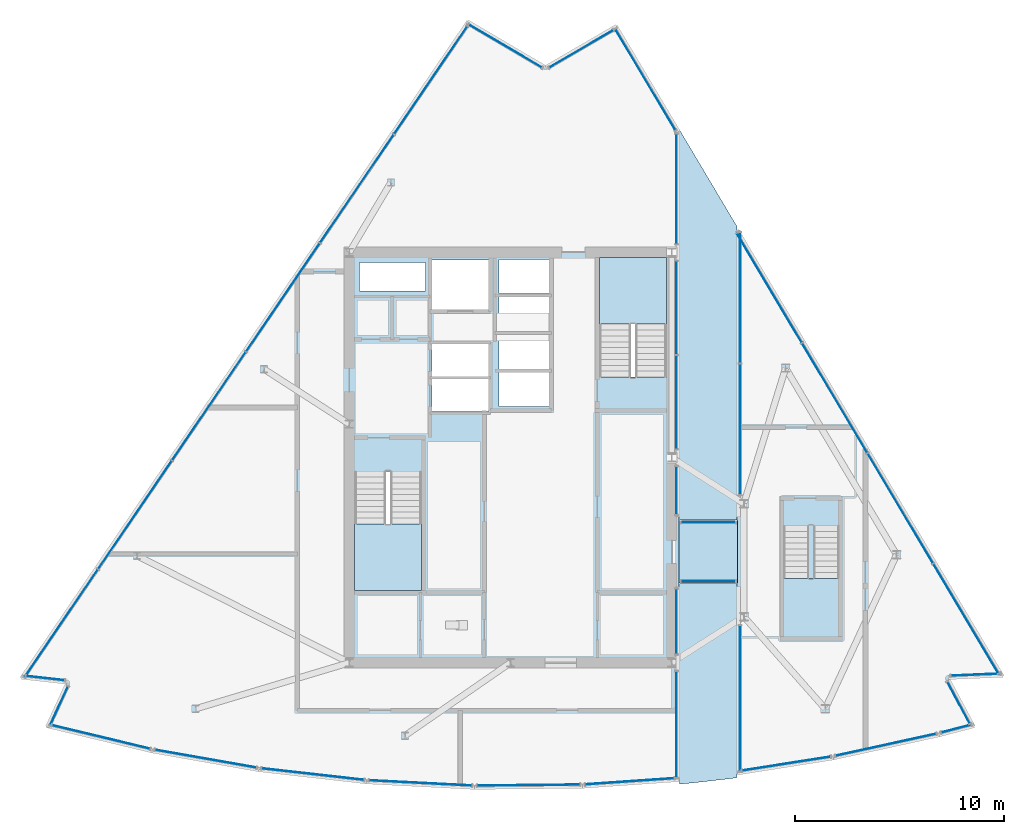
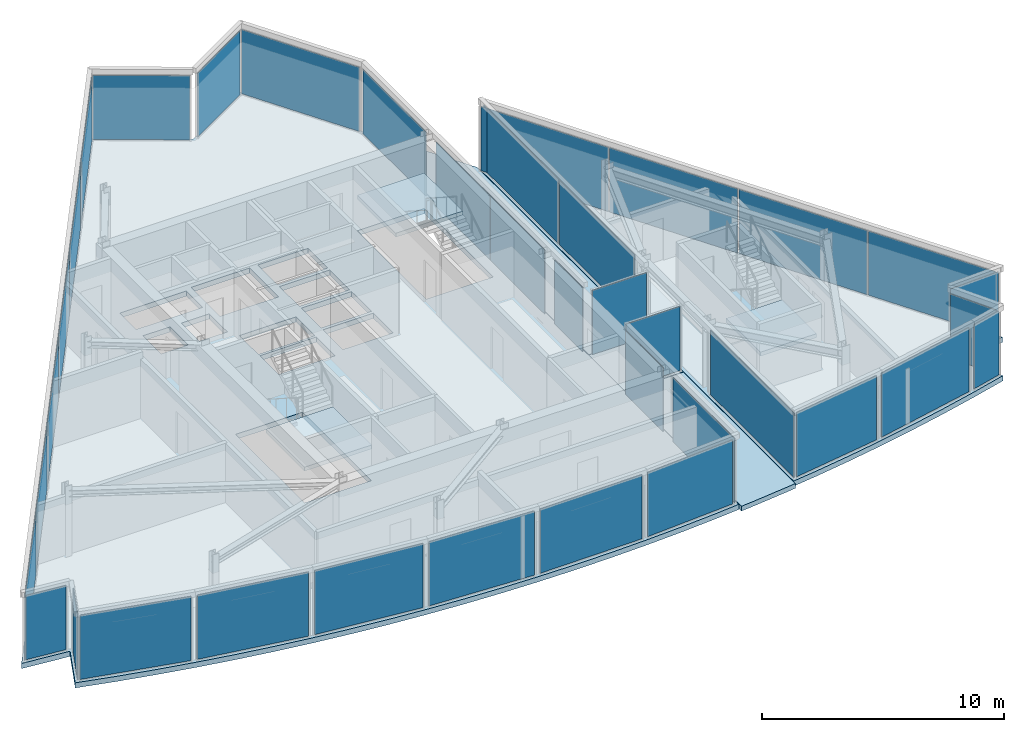
# One storey, part 8 of 15: 37 plates, 8 slabs, 30 elements without a shape of their own.
"""IFC4 building model written with IfcOpenShell, lengths in metres."""

import ifcopenshell
import ifcopenshell.guid

model = None  # the IFC model being written
_history = None  # IfcOwnerHistory: only IFC2X3 demands one
_inside = {}  # id of a spatial element -> (the spatial element, [elements in it])
_under = {}  # id of a project, library or spatial element -> (it, [spatial elements below it])
_declared = {}  # id of a project -> (the project, [libraries it declares])
_typed = {}  # id of a type object -> (the type object, [elements of that type])
_made_of = {}  # id of a material, layer set ... -> (it, [elements and type objects made of it])


def new_model(schema):
    """Start an empty IFC model of exactly this schema.

    Asked for "IFC4X3", IfcOpenShell would pick the latest addendum, in which some entities
    have other attributes; the version numbers below select the first issue.
    IFC2X3 requires an IfcOwnerHistory on every rooted entity: one is made here for all.
    """
    global model, _history
    if schema == "IFC4X3":
        model = ifcopenshell.file(schema_version=(4, 3, 0, 0))
    else:
        model = ifcopenshell.file(schema=schema)
    _inside.clear()
    _under.clear()
    _declared.clear()
    _typed.clear()
    _made_of.clear()
    _history = None
    if model.schema == "IFC2X3":
        org = make("IfcOrganization", Name="unknown")
        user = make(
            "IfcPersonAndOrganization",
            ThePerson=make("IfcPerson", FamilyName="unknown"),
            TheOrganization=org,
        )
        app = make(
            "IfcApplication",
            ApplicationDeveloper=org,
            Version="unknown",
            ApplicationFullName="unknown",
            ApplicationIdentifier="unknown",
        )
        _history = make(
            "IfcOwnerHistory",
            OwningUser=user,
            OwningApplication=app,
            ChangeAction="ADDED",
            CreationDate=0,
        )
    return model


def make(cls, **values):
    """One entity of the class cls with the attributes given. An attribute that is None is left unset."""
    return model.create_entity(
        cls, **{name: value for name, value in values.items() if value is not None}
    )


def rooted(cls, **values):
    """An entity with a GlobalId (a new one), such as an element, a storey or a relation."""
    return make(cls, GlobalId=ifcopenshell.guid.new(), OwnerHistory=_history, **values)


def si_unit(unit_type, name, prefix=None):
    """IfcSIUnit, for example si_unit("LENGTHUNIT", "METRE", prefix="MILLI")."""
    return make("IfcSIUnit", UnitType=unit_type, Prefix=prefix, Name=name)


def assignment(units):
    """IfcUnitAssignment: the units of a project."""
    return None if units is None else make("IfcUnitAssignment", Units=units)


def point(xyz):
    """IfcCartesianPoint."""
    return None if xyz is None else make("IfcCartesianPoint", Coordinates=xyz)


def direction(xyz):
    """IfcDirection."""
    return None if xyz is None else make("IfcDirection", DirectionRatios=xyz)


def frame(location, z_axis=None, x_axis=None):
    """IfcAxis2Placement3D, a coordinate frame: its origin and axes. An axis left out is left unset."""
    return make(
        "IfcAxis2Placement3D",
        Location=point(location),
        Axis=direction(z_axis),
        RefDirection=direction(x_axis),
    )


def frame_2d(location, x_axis=None):
    """IfcAxis2Placement2D, a coordinate frame in the plane: its origin and x axis."""
    return make(
        "IfcAxis2Placement2D", Location=point(location), RefDirection=direction(x_axis)
    )


def origin():
    """The frame at (0, 0, 0) with its axes left unset."""
    return frame((0.0, 0.0, 0.0))


def origin_2d():
    """The frame at (0, 0) in the plane with its x axis left unset."""
    return frame_2d((0.0, 0.0))


def place(relative_to, where):
    """IfcLocalPlacement: puts the frame where relative to a parent placement (None: the world)."""
    return make(
        "IfcLocalPlacement", PlacementRelTo=relative_to, RelativePlacement=where
    )


def context(
    kind, dimensions, precision=None, world=None, true_north=None, identifier=None
):
    """IfcGeometricRepresentationContext, for example the 3D "Model" context."""
    return make(
        "IfcGeometricRepresentationContext",
        ContextIdentifier=identifier,
        ContextType=kind,
        CoordinateSpaceDimension=dimensions,
        Precision=precision,
        WorldCoordinateSystem=world,
        TrueNorth=true_north,
    )


def subcontext(parent, identifier, kind, view, scale=None):
    """IfcGeometricRepresentationSubContext, for example "Body" below "Model"."""
    return make(
        "IfcGeometricRepresentationSubContext",
        ContextIdentifier=identifier,
        ContextType=kind,
        ParentContext=parent,
        TargetScale=scale,
        TargetView=view,
    )


def project(units=None, contexts=None):
    """IfcProject with its units and contexts."""
    return rooted(
        "IfcProject",
        Name="project",
        RepresentationContexts=contexts,
        UnitsInContext=assignment(units),
    )


def spatial(cls, under=None, at=None, **own):
    """A site, building, storey or space (cls), placed at a placement, below another one or the project."""
    s = rooted(cls, ObjectPlacement=at, **own)
    if under is not None:
        _under.setdefault(under.id(), (under, []))[1].append(s)
    return s


def polyline(points):
    """IfcPolyline through the points."""
    return make("IfcPolyline", Points=[point(p) for p in points])


def profile(cls, at=None, kind="AREA", **sizes):
    """A parametric profile (cls). Its sizes go by their IFC names, for example OverallWidth=200.0."""
    return make(cls, ProfileType=kind, Position=at, **sizes)


def rectangle(**sizes):
    """IfcRectangleProfileDef."""
    return profile("IfcRectangleProfileDef", **sizes)


def outline(outer, holes=None, kind="AREA"):
    """IfcArbitraryClosedProfileDef: a profile drawn as a closed curve; with holes, ...WithVoids."""
    if holes is None:
        return make("IfcArbitraryClosedProfileDef", ProfileType=kind, OuterCurve=outer)
    return make(
        "IfcArbitraryProfileDefWithVoids",
        ProfileType=kind,
        OuterCurve=outer,
        InnerCurves=holes,
    )


def extrude(swept, where, along, depth):
    """IfcExtrudedAreaSolid: the profile swept, set in the frame where, extruded along a direction by depth."""
    return make(
        "IfcExtrudedAreaSolid",
        SweptArea=swept,
        Position=where,
        ExtrudedDirection=direction(along),
        Depth=depth,
    )


def shape(context_of_items, identifier, shape_type, items):
    """IfcShapeRepresentation: the items that make up one representation, for example the "Body"."""
    return make(
        "IfcShapeRepresentation",
        ContextOfItems=context_of_items,
        RepresentationIdentifier=identifier,
        RepresentationType=shape_type,
        Items=items,
    )


def material(Name=None, Category=None):
    """IfcMaterial."""
    return make("IfcMaterial", Name=Name, Category=Category)


def layer(
    of_material, thickness, ventilated=None, Name=None, Category=None, Priority=None
):
    """IfcMaterialLayer: one layer of a wall or slab, of a material (None: an air gap)."""
    return make(
        "IfcMaterialLayer",
        Material=of_material,
        LayerThickness=thickness,
        IsVentilated=ventilated,
        Name=Name,
        Category=Category,
        Priority=Priority,
    )


def layer_set(layers, Name=None):
    """IfcMaterialLayerSet."""
    return make("IfcMaterialLayerSet", MaterialLayers=layers, LayerSetName=Name)


def made_of(thing, what):
    """Note that an element or type object is made of a material, layer set ...; save() writes the relation."""
    if what is not None:
        _made_of.setdefault(what.id(), (what, []))[1].append(thing)
    return thing


def type_object(cls, material=None, **own):
    """A type object (cls), such as IfcWallType, which elements share."""
    return made_of(rooted(cls, **own), material)


def element(
    cls,
    number,
    at=None,
    inside=None,
    cuts=None,
    type_object=None,
    material=None,
    context=None,
    identifier="Body",
    shape_type=None,
    held_by="IfcProductDefinitionShape",
    body=None,
    shapes=None,
    **own,
):
    """One element of the class cls, such as IfcWall. Its Tag is "e" and its number.

    at: its placement. inside: the storey or other place that contains it. cuts: it is an
    opening in that element (IfcRelVoidsElement). A single representation is given by context,
    identifier, shape_type and body (its items); several are given by shapes. held_by: the class
    of the entity that holds the representations. save() writes the other relations.
    """
    e = rooted(cls, Tag="e%d" % number, ObjectPlacement=at, **own)
    if body is not None:
        shapes = [shape(context, identifier, shape_type, body)]
    if shapes is not None:
        e.Representation = make(held_by, Representations=shapes)
    if inside is not None:
        _inside.setdefault(inside.id(), (inside, []))[1].append(e)
    if cuts is not None:
        rooted(
            "IfcRelVoidsElement", RelatingBuildingElement=cuts, RelatedOpeningElement=e
        )
    if type_object is not None:
        _typed.setdefault(type_object.id(), (type_object, []))[1].append(e)
    return made_of(e, material)


def aggregate(whole, parts):
    """IfcRelAggregates: a whole, such as a stair, and the parts it consists of."""
    return rooted("IfcRelAggregates", RelatingObject=whole, RelatedObjects=parts)


def save(model, path):
    """Write the relations noted so far, then the file.

    IfcRelAggregates (storeys below a building ...), IfcRelContainedInSpatialStructure (elements
    in a storey), IfcRelDefinesByType, IfcRelAssociatesMaterial and IfcRelDeclares: one each for
    every whole, place, type object, material and project.
    """
    for whole, parts in _under.values():
        aggregate(whole, parts)
    for where, things in _inside.values():
        rooted(
            "IfcRelContainedInSpatialStructure",
            RelatedElements=things,
            RelatingStructure=where,
        )
    for kind, things in _typed.values():
        rooted("IfcRelDefinesByType", RelatedObjects=things, RelatingType=kind)
    for what, things in _made_of.values():
        rooted("IfcRelAssociatesMaterial", RelatedObjects=things, RelatingMaterial=what)
    for by, libraries in _declared.values():
        rooted("IfcRelDeclares", RelatingContext=by, RelatedDefinitions=libraries)
    model.write(path)


model = new_model("IFC4")

# Units and contexts
model_context = context("Model", 3, precision=1e-05, world=origin(), true_north=direction((0.0, 1.0)))
body_context = subcontext(model_context, "Body", "Model", "MODEL_VIEW")
ifc_project = project(units=[si_unit("LENGTHUNIT", "METRE"), si_unit("AREAUNIT", "SQUARE_METRE"), si_unit("VOLUMEUNIT", "CUBIC_METRE"), si_unit("PLANEANGLEUNIT", "RADIAN"), si_unit("MASSUNIT", "GRAM", prefix="KILO")], contexts=[model_context])

# Site, building, storey
site_placement = place(None, origin())
site = spatial("IfcSite", under=ifc_project, at=site_placement, CompositionType="ELEMENT")
building_placement = place(site_placement, origin())
building = spatial("IfcBuilding", under=site, at=building_placement, Name="Savorim Split Tower", CompositionType="ELEMENT")
storey_placement = place(building_placement, frame((0.0, 0.0, 297.60009765625)))
storey = spatial("IfcBuildingStorey", under=building, at=storey_placement, Name="Crown L79 Plant", CompositionType="ELEMENT", Elevation=297.60009765625)

# Curtain wall, plate
ifc_material_1 = material(Name="Dark Ceramic-Fritted Insulated Glass", Category="glass")
curtain_wall_type = type_object("IfcCurtainWallType", Name="CW-CROWN-CREST", PredefinedType="NOTDEFINED", material=ifc_material_1)
curtain_wall_1_placement = place(storey_placement, origin())
curtain_wall_1 = element("IfcCurtainWall", 1, at=curtain_wall_1_placement, inside=storey, type_object=curtain_wall_type, Name="Crown L79 Plant Curtain Wall CW-Crown-L79-Plant-W1AS1", PredefinedType="NOTDEFINED")
ifc_layer_1 = layer(ifc_material_1, 0.02587890625)
ifc_layer_set_1 = layer_set([ifc_layer_1], Name="CWP-FRITB-26")
plate_type = type_object("IfcPlateType", Name="CWP-FRITB-26", PredefinedType="CURTAIN_PANEL", material=ifc_layer_set_1)
plate_1_placement = place(storey_placement, frame((7.929931640625, -12.354248046875, 0.0498046875), z_axis=(0.0, 0.0, 1.0), x_axis=(0.0, 1.0, 0.0)))
plate_1 = element("IfcPlate", 2, at=plate_1_placement, type_object=plate_type, Name="CW-07 panel 1.1", PredefinedType="CURTAIN_PANEL", context=body_context, shape_type="SweptSolid", body=[
    extrude(rectangle(XDim=5.056640625, YDim=0.02587890625, at=origin_2d()), origin(), (0.0, 0.0, 1.0), 3.239990234375),
])
aggregate(curtain_wall_1, [plate_1])

curtain_wall_2_placement = place(storey_placement, origin())
curtain_wall_2 = element("IfcCurtainWall", 3, at=curtain_wall_2_placement, inside=storey, type_object=curtain_wall_type, Name="Crown L79 Plant Curtain Wall CW-Crown-L79-Plant-W1AS2", PredefinedType="NOTDEFINED")
plate_2_placement = place(storey_placement, frame((7.929931640625, -7.431884765625, 0.0498046875), z_axis=(0.0, 0.0, 1.0), x_axis=(0.0, 1.0, 0.0)))
plate_2 = element("IfcPlate", 4, at=plate_2_placement, type_object=plate_type, Name="CW-07 panel 1.1", PredefinedType="CURTAIN_PANEL", context=body_context, shape_type="SweptSolid", body=[
    extrude(rectangle(XDim=3.083984375, YDim=0.02587890625, at=origin_2d()), origin(), (0.0, 0.0, 1.0), 3.239990234375),
])
aggregate(curtain_wall_2, [plate_2])

curtain_wall_3_placement = place(storey_placement, origin())
curtain_wall_3 = element("IfcCurtainWall", 5, at=curtain_wall_3_placement, inside=storey, type_object=curtain_wall_type, Name="Crown L79 Plant Curtain Wall CW-Crown-L79-Plant-W1BS1", PredefinedType="NOTDEFINED")
plate_3_placement = place(storey_placement, frame((7.929931640625, -1.16796875, 0.0498046875), z_axis=(0.0, 0.0, 1.0), x_axis=(0.0, 1.0, 0.0)))
plate_3 = element("IfcPlate", 6, at=plate_3_placement, type_object=plate_type, Name="CW-07 panel 1.1", PredefinedType="CURTAIN_PANEL", context=body_context, shape_type="SweptSolid", body=[
    extrude(rectangle(XDim=2.283935546875, YDim=0.02587890625, at=origin_2d()), origin(), (0.0, 0.0, 1.0), 3.239990234375),
])
aggregate(curtain_wall_3, [plate_3])

# Curtain wall, plates
curtain_wall_4_placement = place(storey_placement, origin())
curtain_wall_4 = element("IfcCurtainWall", 7, at=curtain_wall_4_placement, inside=storey, type_object=curtain_wall_type, Name="Crown L79 Plant Curtain Wall CW-Crown-L79-Plant-W1BS2", PredefinedType="NOTDEFINED")
plate_4_placement = place(storey_placement, frame((7.929931640625, 3.048095703125, 0.0498046875), z_axis=(0.0, 0.0, 1.0), x_axis=(0.0, 1.0, 0.0)))
plate_4 = element("IfcPlate", 8, at=plate_4_placement, type_object=plate_type, Name="CW-07 panel 1.1", PredefinedType="CURTAIN_PANEL", context=body_context, shape_type="SweptSolid", body=[
    extrude(rectangle(XDim=4.444091796875, YDim=0.02587890625, at=origin_2d()), origin(), (0.0, 0.0, 1.0), 3.239990234375),
])
plate_5_placement = place(storey_placement, frame((7.929931640625, 7.552001953125, 0.0498046875), z_axis=(0.0, 0.0, 1.0), x_axis=(0.0, 1.0, 0.0)))
plate_5 = element("IfcPlate", 9, at=plate_5_placement, type_object=plate_type, Name="CW-07 panel 2.1", PredefinedType="CURTAIN_PANEL", context=body_context, shape_type="SweptSolid", body=[
    extrude(rectangle(XDim=4.444091796875, YDim=0.02587890625, at=origin_2d()), origin(), (0.0, 0.0, 1.0), 3.239990234375),
])
aggregate(curtain_wall_4, [plate_4, plate_5])

# Curtain wall, plate
curtain_wall_5_placement = place(storey_placement, origin())
curtain_wall_5 = element("IfcCurtainWall", 10, at=curtain_wall_5_placement, inside=storey, type_object=curtain_wall_type, Name="Crown L79 Plant Curtain Wall CW-Crown-L79-Plant-W1BS3", PredefinedType="NOTDEFINED")
plate_6_placement = place(storey_placement, frame((7.929931640625, 13.238037109375, 0.0498046875), z_axis=(0.0, 0.0, 1.0), x_axis=(0.0, 1.0, 0.0)))
plate_6 = element("IfcPlate", 11, at=plate_6_placement, type_object=plate_type, Name="CW-07 panel 1.1", PredefinedType="CURTAIN_PANEL", context=body_context, shape_type="SweptSolid", body=[
    extrude(rectangle(XDim=5.224365234375, YDim=0.02587890625, at=origin_2d()), origin(), (0.0, 0.0, 1.0), 3.239990234375),
])
aggregate(curtain_wall_5, [plate_6])

curtain_wall_6_placement = place(storey_placement, origin())
curtain_wall_6 = element("IfcCurtainWall", 12, at=curtain_wall_6_placement, inside=storey, type_object=curtain_wall_type, Name="Crown L79 Plant Curtain Wall CW-Crown-L79-Plant-W2A", PredefinedType="NOTDEFINED")
plate_7_placement = place(storey_placement, frame((6.446533203125, 18.451904296875, 0.0498046875), z_axis=(0.0, 0.0, 1.0), x_axis=(-0.511100218355, 0.85952112644, 0.0)))
plate_7 = element("IfcPlate", 13, at=plate_7_placement, type_object=plate_type, Name="CW-07 panel 1.1", PredefinedType="CURTAIN_PANEL", context=body_context, shape_type="SweptSolid", body=[
    extrude(rectangle(XDim=5.590576171875, YDim=0.02587890625, at=origin_2d()), origin(), (0.0, 0.0, 1.0), 3.239990234375),
])
aggregate(curtain_wall_6, [plate_7])

curtain_wall_7_placement = place(storey_placement, origin())
curtain_wall_7 = element("IfcCurtainWall", 14, at=curtain_wall_7_placement, inside=storey, type_object=curtain_wall_type, Name="Crown L79 Plant Curtain Wall CW-Crown-L79-Plant-W3A", PredefinedType="NOTDEFINED")
plate_8_placement = place(storey_placement, frame((3.37841796875, 19.92333984375, 0.0498046875), z_axis=(0.0, 0.0, 1.0), x_axis=(-0.863985165076, -0.503517263387, 0.0)))
plate_8 = element("IfcPlate", 15, at=plate_8_placement, type_object=plate_type, Name="CW-07 panel 1.1", PredefinedType="CURTAIN_PANEL", context=body_context, shape_type="SweptSolid", body=[
    extrude(rectangle(XDim=3.5185546875, YDim=0.02587890625, at=origin_2d()), origin(), (0.0, 0.0, 1.0), 3.239990234375),
])
aggregate(curtain_wall_7, [plate_8])

curtain_wall_8_placement = place(storey_placement, origin())
curtain_wall_8 = element("IfcCurtainWall", 16, at=curtain_wall_8_placement, inside=storey, type_object=curtain_wall_type, Name="Crown L79 Plant Curtain Wall CW-Crown-L79-Plant-W4A", PredefinedType="NOTDEFINED")
plate_9_placement = place(storey_placement, frame((-0.239501953125, 20.057861328125, 0.0498046875), z_axis=(0.0, 0.0, 1.0), x_axis=(-0.862125788035, 0.506694311795, 0.0)))
plate_9 = element("IfcPlate", 17, at=plate_9_placement, type_object=plate_type, Name="CW-07 panel 1.1", PredefinedType="CURTAIN_PANEL", context=body_context, shape_type="SweptSolid", body=[
    extrude(rectangle(XDim=4.025146484375, YDim=0.02587890625, at=origin_2d()), origin(), (0.0, 0.0, 1.0), 3.239990234375),
])
aggregate(curtain_wall_8, [plate_9])

# Curtain wall, plates
curtain_wall_9_placement = place(storey_placement, origin())
curtain_wall_9 = element("IfcCurtainWall", 18, at=curtain_wall_9_placement, inside=storey, type_object=curtain_wall_type, Name="Crown L79 Plant Curtain Wall CW-Crown-L79-Plant-W5A", PredefinedType="NOTDEFINED")
plate_10_placement = place(storey_placement, frame((-3.814453125, 18.422607421875, 0.0498046875), z_axis=(0.0, 0.0, 1.0), x_axis=(-0.56246562314, -0.82682067148, 0.0)))
plate_10 = element("IfcPlate", 19, at=plate_10_placement, type_object=plate_type, Name="CW-07 panel 1.1", PredefinedType="CURTAIN_PANEL", context=body_context, shape_type="SweptSolid", body=[
    extrude(rectangle(XDim=6.19091796875, YDim=0.02587890625, at=origin_2d()), origin(), (0.0, 0.0, 1.0), 3.239990234375),
])
plate_11_placement = place(storey_placement, frame((-7.338623046875, 13.24169921875, 0.0498046875), z_axis=(0.0, 0.0, 1.0), x_axis=(-0.56246562314, -0.82682067148, 0.0)))
plate_11 = element("IfcPlate", 20, at=plate_11_placement, type_object=plate_type, Name="CW-07 panel 2.1", PredefinedType="CURTAIN_PANEL", context=body_context, shape_type="SweptSolid", body=[
    extrude(rectangle(XDim=6.220947265625, YDim=0.02587890625, at=origin_2d()), origin(), (0.0, 0.0, 1.0), 3.239990234375),
])
plate_12_placement = place(storey_placement, frame((-10.87158203125, 8.048583984375, 0.0498046875), z_axis=(0.0, 0.0, 1.0), x_axis=(-0.56246562314, -0.82682067148, 0.0)))
plate_12 = element("IfcPlate", 21, at=plate_12_placement, type_object=plate_type, Name="CW-07 panel 3.1", PredefinedType="CURTAIN_PANEL", context=body_context, shape_type="SweptSolid", body=[
    extrude(rectangle(XDim=6.220947265625, YDim=0.02587890625, at=origin_2d()), origin(), (0.0, 0.0, 1.0), 3.239990234375),
])
plate_13_placement = place(storey_placement, frame((-14.404296875, 2.855224609375, 0.0498046875), z_axis=(0.0, 0.0, 1.0), x_axis=(-0.56246562314, -0.82682067148, 0.0)))
plate_13 = element("IfcPlate", 22, at=plate_13_placement, type_object=plate_type, Name="CW-07 panel 4.1", PredefinedType="CURTAIN_PANEL", context=body_context, shape_type="SweptSolid", body=[
    extrude(rectangle(XDim=6.220947265625, YDim=0.02587890625, at=origin_2d()), origin(), (0.0, 0.0, 1.0), 3.239990234375),
])
plate_14_placement = place(storey_placement, frame((-17.937255859375, -2.337890625, 0.0498046875), z_axis=(0.0, 0.0, 1.0), x_axis=(-0.56246562314, -0.82682067148, 0.0)))
plate_14 = element("IfcPlate", 23, at=plate_14_placement, type_object=plate_type, Name="CW-07 panel 5.1", PredefinedType="CURTAIN_PANEL", context=body_context, shape_type="SweptSolid", body=[
    extrude(rectangle(XDim=6.220947265625, YDim=0.02587890625, at=origin_2d()), origin(), (0.0, 0.0, 1.0), 3.239990234375),
])
plate_15_placement = place(storey_placement, frame((-21.461669921875, -7.518798828125, 0.0498046875), z_axis=(0.0, 0.0, 1.0), x_axis=(-0.56246562314, -0.82682067148, 0.0)))
plate_15 = element("IfcPlate", 24, at=plate_15_placement, type_object=plate_type, Name="CW-07 panel 6.1", PredefinedType="CURTAIN_PANEL", context=body_context, shape_type="SweptSolid", body=[
    extrude(rectangle(XDim=6.19091796875, YDim=0.02587890625, at=origin_2d()), origin(), (0.0, 0.0, 1.0), 3.239990234375),
])
aggregate(curtain_wall_9, [plate_10, plate_11, plate_12, plate_13, plate_14, plate_15])

# Curtain wall, plate
curtain_wall_10_placement = place(storey_placement, origin())
curtain_wall_10 = element("IfcCurtainWall", 25, at=curtain_wall_10_placement, inside=storey, type_object=curtain_wall_type, Name="Crown L79 Plant Curtain Wall CW-Crown-L79-Plant-W6A", PredefinedType="NOTDEFINED")
plate_16_placement = place(storey_placement, frame((-22.223388671875, -10.134765625, 0.0498046875), z_axis=(0.0, 0.0, 1.0), x_axis=(0.993822348532, -0.110982609263, 0.0)))
plate_16 = element("IfcPlate", 26, at=plate_16_placement, type_object=plate_type, Name="CW-07 panel 1.1", PredefinedType="CURTAIN_PANEL", context=body_context, shape_type="SweptSolid", body=[
    extrude(rectangle(XDim=1.811767578125, YDim=0.02587890625, at=origin_2d()), origin(), (0.0, 0.0, 1.0), 3.239990234375),
])
aggregate(curtain_wall_10, [plate_16])

curtain_wall_11_placement = place(storey_placement, origin())
curtain_wall_11 = element("IfcCurtainWall", 27, at=curtain_wall_11_placement, inside=storey, type_object=curtain_wall_type, Name="Crown L79 Plant Curtain Wall CW-Crown-L79-Plant-W7A", PredefinedType="NOTDEFINED")
plate_17_placement = place(storey_placement, frame((-21.565673828125, -11.459228515625, 0.0498046875), z_axis=(0.0, 0.0, 1.0), x_axis=(-0.417498072917, -0.908677808197, 0.0)))
plate_17 = element("IfcPlate", 28, at=plate_17_placement, type_object=plate_type, Name="CW-07 panel 1.1", PredefinedType="CURTAIN_PANEL", context=body_context, shape_type="SweptSolid", body=[
    extrude(rectangle(XDim=2.0068359375, YDim=0.02587890625, at=origin_2d()), origin(), (0.0, 0.0, 1.0), 3.239990234375),
])
aggregate(curtain_wall_11, [plate_17])

curtain_wall_12_placement = place(storey_placement, origin())
curtain_wall_12 = element("IfcCurtainWall", 29, at=curtain_wall_12_placement, inside=storey, type_object=curtain_wall_type, Name="Crown L79 Plant Curtain Wall CW-Crown-L79-Plant-W8A", PredefinedType="NOTDEFINED")
plate_18_placement = place(storey_placement, frame((-19.558349609375, -12.946533203125, 0.0498046875), z_axis=(0.0, 0.0, 1.0), x_axis=(0.972438519655, -0.233159442207, 0.0)))
plate_18 = element("IfcPlate", 30, at=plate_18_placement, type_object=plate_type, Name="CW-07 panel 1.1", PredefinedType="CURTAIN_PANEL", context=body_context, shape_type="SweptSolid", body=[
    extrude(rectangle(XDim=4.786865234375, YDim=0.02587890625, at=origin_2d()), origin(), (0.0, 0.0, 1.0), 3.239990234375),
])
aggregate(curtain_wall_12, [plate_18])

curtain_wall_13_placement = place(storey_placement, origin())
curtain_wall_13 = element("IfcCurtainWall", 31, at=curtain_wall_13_placement, inside=storey, type_object=curtain_wall_type, Name="Crown L79 Plant Curtain Wall CW-Crown-L79-Plant-W9A", PredefinedType="NOTDEFINED")
plate_19_placement = place(storey_placement, frame((-14.5546875, -13.9833984375, 0.0498046875), z_axis=(0.0, 0.0, 1.0), x_axis=(0.984910639086, -0.173063667518, 0.0)))
plate_19 = element("IfcPlate", 32, at=plate_19_placement, type_object=plate_type, Name="CW-07 panel 1.1", PredefinedType="CURTAIN_PANEL", context=body_context, shape_type="SweptSolid", body=[
    extrude(rectangle(XDim=4.89208984375, YDim=0.02587890625, at=origin_2d()), origin(), (0.0, 0.0, 1.0), 3.239990234375),
])
aggregate(curtain_wall_13, [plate_19])

curtain_wall_14_placement = place(storey_placement, origin())
curtain_wall_14 = element("IfcCurtainWall", 33, at=curtain_wall_14_placement, inside=storey, type_object=curtain_wall_type, Name="Crown L79 Plant Curtain Wall CW-Crown-L79-Plant-W10A", PredefinedType="NOTDEFINED")
plate_20_placement = place(storey_placement, frame((-9.445556640625, -14.72021484375, 0.0498046875), z_axis=(0.0, 0.0, 1.0), x_axis=(0.993670713242, -0.112332157661, 0.0)))
plate_20 = element("IfcPlate", 34, at=plate_20_placement, type_object=plate_type, Name="CW-07 panel 1.1", PredefinedType="CURTAIN_PANEL", context=body_context, shape_type="SweptSolid", body=[
    extrude(rectangle(XDim=4.891845703125, YDim=0.02587890625, at=origin_2d()), origin(), (0.0, 0.0, 1.0), 3.239990234375),
])
aggregate(curtain_wall_14, [plate_20])

curtain_wall_15_placement = place(storey_placement, origin())
curtain_wall_15 = element("IfcCurtainWall", 35, at=curtain_wall_15_placement, inside=storey, type_object=curtain_wall_type, Name="Crown L79 Plant Curtain Wall CW-Crown-L79-Plant-W11A", PredefinedType="NOTDEFINED")
plate_21_placement = place(storey_placement, frame((-4.300537109375, -15.142333984375, 0.0498046875), z_axis=(0.0, 0.0, 1.0), x_axis=(0.99869064475, -0.051156584025, 0.0)))
plate_21 = element("IfcPlate", 36, at=plate_21_placement, type_object=plate_type, Name="CW-07 panel 1.1", PredefinedType="CURTAIN_PANEL", context=body_context, shape_type="SweptSolid", body=[
    extrude(rectangle(XDim=4.89208984375, YDim=0.02587890625, at=origin_2d()), origin(), (0.0, 0.0, 1.0), 3.239990234375),
])
aggregate(curtain_wall_15, [plate_21])

curtain_wall_16_placement = place(storey_placement, origin())
curtain_wall_16 = element("IfcCurtainWall", 37, at=curtain_wall_16_placement, inside=storey, type_object=curtain_wall_type, Name="Crown L79 Plant Curtain Wall CW-Crown-L79-Plant-W12A", PredefinedType="NOTDEFINED")
plate_22_placement = place(storey_placement, frame((0.860595703125, -15.247802734375, 0.0498046875), z_axis=(0.0, 0.0, 1.0), x_axis=(0.999947411371, 0.010255461615, 0.0)))
plate_22 = element("IfcPlate", 38, at=plate_22_placement, type_object=plate_type, Name="CW-07 panel 1.1", PredefinedType="CURTAIN_PANEL", context=body_context, shape_type="SweptSolid", body=[
    extrude(rectangle(XDim=4.891845703125, YDim=0.02587890625, at=origin_2d()), origin(), (0.0, 0.0, 1.0), 3.239990234375),
])
aggregate(curtain_wall_16, [plate_22])

curtain_wall_17_placement = place(storey_placement, origin())
curtain_wall_17 = element("IfcCurtainWall", 39, at=curtain_wall_17_placement, inside=storey, type_object=curtain_wall_type, Name="Crown L79 Plant Curtain Wall CW-Crown-L79-Plant-W13A", PredefinedType="NOTDEFINED")
plate_23_placement = place(storey_placement, frame((5.688232421875, -15.06591796875, 0.0498046875), z_axis=(0.0, 0.0, 1.0), x_axis=(0.997611021231, 0.069081475947, 0.0)))
plate_23 = element("IfcPlate", 40, at=plate_23_placement, type_object=plate_type, Name="CW-07 panel 1.1", PredefinedType="CURTAIN_PANEL", context=body_context, shape_type="SweptSolid", body=[
    extrude(rectangle(XDim=4.228515625, YDim=0.02587890625, at=origin_2d()), origin(), (0.0, 0.0, 1.0), 3.239990234375),
])
aggregate(curtain_wall_17, [plate_23])

# Curtain wall, plates
curtain_wall_18_placement = place(storey_placement, origin())
curtain_wall_18 = element("IfcCurtainWall", 41, at=curtain_wall_18_placement, inside=storey, type_object=curtain_wall_type, Name="Crown L79 Plant Curtain Wall CW-Crown-L79-Plant-E1A", PredefinedType="NOTDEFINED")
plate_24_placement = place(storey_placement, frame((10.969970703125, 8.031005859375, 0.0498046875), z_axis=(0.0, 0.0, 1.0), x_axis=(0.0, -1.0, 0.0)))
plate_24 = element("IfcPlate", 42, at=plate_24_placement, type_object=plate_type, Name="CW-07 panel 1.1", PredefinedType="CURTAIN_PANEL", context=body_context, shape_type="SweptSolid", body=[
    extrude(rectangle(XDim=6.220703125, YDim=0.02587890625, at=origin_2d()), origin(), (0.0, 0.0, 1.0), 3.239990234375),
])
plate_25_placement = place(storey_placement, frame((10.969970703125, 1.750244140625, 0.0498046875), z_axis=(0.0, 0.0, 1.0), x_axis=(0.0, -1.0, 0.0)))
plate_25 = element("IfcPlate", 43, at=plate_25_placement, type_object=plate_type, Name="CW-07 panel 2.1", PredefinedType="CURTAIN_PANEL", context=body_context, shape_type="SweptSolid", body=[
    extrude(rectangle(XDim=6.220703125, YDim=0.02587890625, at=origin_2d()), origin(), (0.0, 0.0, 1.0), 3.239990234375),
])
aggregate(curtain_wall_18, [plate_24, plate_25])

# Curtain wall, plate
curtain_wall_19_placement = place(storey_placement, origin())
curtain_wall_19 = element("IfcCurtainWall", 44, at=curtain_wall_19_placement, inside=storey, type_object=curtain_wall_type, Name="Crown L79 Plant Curtain Wall CW-Crown-L79-Plant-E1B", PredefinedType="NOTDEFINED")
plate_26_placement = place(storey_placement, frame((10.969970703125, -11.103271484375, 0.0498046875), z_axis=(0.0, 0.0, 1.0), x_axis=(0.0, -1.0, 0.0)))
plate_26 = element("IfcPlate", 45, at=plate_26_placement, type_object=plate_type, Name="CW-07 panel 1.1", PredefinedType="CURTAIN_PANEL", context=body_context, shape_type="SweptSolid", body=[
    extrude(rectangle(XDim=6.9267578125, YDim=0.02587890625, at=origin_2d()), origin(), (0.0, 0.0, 1.0), 3.239990234375),
])
aggregate(curtain_wall_19, [plate_26])

curtain_wall_20_placement = place(storey_placement, origin())
curtain_wall_20 = element("IfcCurtainWall", 46, at=curtain_wall_20_placement, inside=storey, type_object=curtain_wall_type, Name="Crown L79 Plant Curtain Wall CW-Crown-L79-Plant-E2A", PredefinedType="NOTDEFINED")
plate_27_placement = place(storey_placement, frame((13.173583984375, -14.22021484375, 0.0498046875), z_axis=(0.0, 0.0, 1.0), x_axis=(0.987884139811, 0.155193190285, 0.0)))
plate_27 = element("IfcPlate", 47, at=plate_27_placement, type_object=plate_type, Name="CW-07 panel 1.1", PredefinedType="CURTAIN_PANEL", context=body_context, shape_type="SweptSolid", body=[
    extrude(rectangle(XDim=4.251953125, YDim=0.02587890625, at=origin_2d()), origin(), (0.0, 0.0, 1.0), 3.239990234375),
])
aggregate(curtain_wall_20, [plate_27])

curtain_wall_21_placement = place(storey_placement, origin())
curtain_wall_21 = element("IfcCurtainWall", 48, at=curtain_wall_21_placement, inside=storey, type_object=curtain_wall_type, Name="Crown L79 Plant Curtain Wall CW-Crown-L79-Plant-E3A", PredefinedType="NOTDEFINED")
plate_28_placement = place(storey_placement, frame((17.931884765625, -13.318359375, 0.0498046875), z_axis=(0.0, 0.0, 1.0), x_axis=(0.977007147717, 0.213206550812, 0.0)))
plate_28 = element("IfcPlate", 49, at=plate_28_placement, type_object=plate_type, Name="CW-07 panel 1.1", PredefinedType="CURTAIN_PANEL", context=body_context, shape_type="SweptSolid", body=[
    extrude(rectangle(XDim=4.89208984375, YDim=0.02587890625, at=origin_2d()), origin(), (0.0, 0.0, 1.0), 3.239990234375),
])
aggregate(curtain_wall_21, [plate_28])

curtain_wall_22_placement = place(storey_placement, origin())
curtain_wall_22 = element("IfcCurtainWall", 50, at=curtain_wall_22_placement, inside=storey, type_object=curtain_wall_type, Name="Crown L79 Plant Curtain Wall CW-Crown-L79-Plant-E4A", PredefinedType="NOTDEFINED")
plate_29_placement = place(storey_placement, frame((21.28759765625, -12.550048828125, 0.0498046875), z_axis=(0.0, 0.0, 1.0), x_axis=(0.967441203935, 0.253095865096, 0.0)))
plate_29 = element("IfcPlate", 51, at=plate_29_placement, type_object=plate_type, Name="CW-07 panel 1.1", PredefinedType="CURTAIN_PANEL", context=body_context, shape_type="SweptSolid", body=[
    extrude(rectangle(XDim=1.4443359375, YDim=0.02587890625, at=origin_2d()), origin(), (0.0, 0.0, 1.0), 3.239990234375),
])
aggregate(curtain_wall_22, [plate_29])

curtain_wall_23_placement = place(storey_placement, origin())
curtain_wall_23 = element("IfcCurtainWall", 52, at=curtain_wall_23_placement, inside=storey, type_object=curtain_wall_type, Name="Crown L79 Plant Curtain Wall CW-Crown-L79-Plant-E5A", PredefinedType="NOTDEFINED")
plate_30_placement = place(storey_placement, frame((21.40380859375, -11.30712890625, 0.0498046875), z_axis=(0.0, 0.0, 1.0), x_axis=(-0.472801574766, 0.881168923021, 0.0)))
plate_30 = element("IfcPlate", 53, at=plate_30_placement, type_object=plate_type, Name="CW-07 panel 1.1", PredefinedType="CURTAIN_PANEL", context=body_context, shape_type="SweptSolid", body=[
    extrude(rectangle(XDim=2.22802734375, YDim=0.02587890625, at=origin_2d()), origin(), (0.0, 0.0, 1.0), 3.239990234375),
])
aggregate(curtain_wall_23, [plate_30])

curtain_wall_24_placement = place(storey_placement, origin())
curtain_wall_24 = element("IfcCurtainWall", 54, at=curtain_wall_24_placement, inside=storey, type_object=curtain_wall_type, Name="Crown L79 Plant Curtain Wall CW-Crown-L79-Plant-E6A", PredefinedType="NOTDEFINED")
plate_31_placement = place(storey_placement, frame((22.215576171875, -9.969970703125, 0.0498046875), z_axis=(0.0, 0.0, 1.0), x_axis=(0.999097499322, 0.042475720687, 0.0)))
plate_31 = element("IfcPlate", 55, at=plate_31_placement, type_object=plate_type, Name="CW-07 panel 1.1", PredefinedType="CURTAIN_PANEL", context=body_context, shape_type="SweptSolid", body=[
    extrude(rectangle(XDim=2.330810546875, YDim=0.02587890625, at=origin_2d()), origin(), (0.0, 0.0, 1.0), 3.239990234375),
])
aggregate(curtain_wall_24, [plate_31])

# Curtain wall, plates
curtain_wall_25_placement = place(storey_placement, origin())
curtain_wall_25 = element("IfcCurtainWall", 56, at=curtain_wall_25_placement, inside=storey, type_object=curtain_wall_type, Name="Crown L79 Plant Curtain Wall CW-Crown-L79-Plant-E7A", PredefinedType="NOTDEFINED")
plate_32_placement = place(storey_placement, frame((21.752197265625, -7.287841796875, 0.0498046875), z_axis=(0.0, 0.0, 1.0), x_axis=(-0.511094355587, 0.859524612613, 0.0)))
plate_32 = element("IfcPlate", 57, at=plate_32_placement, type_object=plate_type, Name="CW-07 panel 1.1", PredefinedType="CURTAIN_PANEL", context=body_context, shape_type="SweptSolid", body=[
    extrude(rectangle(XDim=6.043701171875, YDim=0.02587890625, at=origin_2d()), origin(), (0.0, 0.0, 1.0), 3.239990234375),
])
plate_33_placement = place(storey_placement, frame((18.625, -2.02880859375, 0.0498046875), z_axis=(0.0, 0.0, 1.0), x_axis=(-0.511094355587, 0.859524612613, 0.0)))
plate_33 = element("IfcPlate", 58, at=plate_33_placement, type_object=plate_type, Name="CW-07 panel 2.1", PredefinedType="CURTAIN_PANEL", context=body_context, shape_type="SweptSolid", body=[
    extrude(rectangle(XDim=6.07373046875, YDim=0.02587890625, at=origin_2d()), origin(), (0.0, 0.0, 1.0), 3.239990234375),
])
plate_34_placement = place(storey_placement, frame((15.489990234375, 3.2431640625, 0.0498046875), z_axis=(0.0, 0.0, 1.0), x_axis=(-0.511094355587, 0.859524612613, 0.0)))
plate_34 = element("IfcPlate", 59, at=plate_34_placement, type_object=plate_type, Name="CW-07 panel 3.1", PredefinedType="CURTAIN_PANEL", context=body_context, shape_type="SweptSolid", body=[
    extrude(rectangle(XDim=6.07373046875, YDim=0.02587890625, at=origin_2d()), origin(), (0.0, 0.0, 1.0), 3.239990234375),
])
plate_35_placement = place(storey_placement, frame((12.36279296875, 8.50244140625, 0.0498046875), z_axis=(0.0, 0.0, 1.0), x_axis=(-0.511094355587, 0.859524612613, 0.0)))
plate_35 = element("IfcPlate", 60, at=plate_35_placement, type_object=plate_type, Name="CW-07 panel 4.1", PredefinedType="CURTAIN_PANEL", context=body_context, shape_type="SweptSolid", body=[
    extrude(rectangle(XDim=6.043701171875, YDim=0.02587890625, at=origin_2d()), origin(), (0.0, 0.0, 1.0), 3.239990234375),
])
aggregate(curtain_wall_25, [plate_32, plate_33, plate_34, plate_35])

# Curtain wall, plate
curtain_wall_26_placement = place(storey_placement, origin())
curtain_wall_26 = element("IfcCurtainWall", 61, at=curtain_wall_26_placement, inside=storey, type_object=curtain_wall_type, Name="Crown L79 Plant Curtain Wall CW-Crown-L79-BR-S", PredefinedType="NOTDEFINED")
plate_36_placement = place(storey_placement, frame((9.449951171875, -5.5, 0.0498046875), z_axis=(0.0, 0.0, 1.0), x_axis=(1.0, 0.0, 0.0)))
plate_36 = element("IfcPlate", 62, at=plate_36_placement, type_object=plate_type, Name="CW-07 panel 1.1", PredefinedType="CURTAIN_PANEL", context=body_context, shape_type="SweptSolid", body=[
    extrude(rectangle(XDim=2.580078125, YDim=0.02587890625, at=origin_2d()), origin(), (0.0, 0.0, 1.0), 3.239990234375),
])
aggregate(curtain_wall_26, [plate_36])

curtain_wall_27_placement = place(storey_placement, origin())
curtain_wall_27 = element("IfcCurtainWall", 63, at=curtain_wall_27_placement, inside=storey, type_object=curtain_wall_type, Name="Crown L79 Plant Curtain Wall CW-Crown-L79-BR-N", PredefinedType="NOTDEFINED")
plate_37_placement = place(storey_placement, frame((9.449951171875, -2.699951171875, 0.0498046875), z_axis=(0.0, 0.0, 1.0), x_axis=(-1.0, 0.0, 0.0)))
plate_37 = element("IfcPlate", 64, at=plate_37_placement, type_object=plate_type, Name="CW-07 panel 1.1", PredefinedType="CURTAIN_PANEL", context=body_context, shape_type="SweptSolid", body=[
    extrude(rectangle(XDim=2.580078125, YDim=0.02587890625, at=origin_2d()), origin(), (0.0, 0.0, 1.0), 3.239990234375),
])
aggregate(curtain_wall_27, [plate_37])

# Slabs
ifc_material_2 = material(Name="Concrete C50/60", Category="concrete")
ifc_layer_2 = layer(ifc_material_2, 0.260009765625)
ifc_layer_set_2 = layer_set([ifc_layer_2], Name="SLB-CRN-260")
slab_type_1 = type_object("IfcSlabType", Name="SLB-CRN-260", PredefinedType="FLOOR", material=ifc_layer_set_2)
slab_1_placement = place(storey_placement, frame((0.0, 0.0, -0.260009765625)))
element("IfcSlab", 65, at=slab_1_placement, inside=storey, type_object=slab_type_1, Name="Crown L79 Plant West Split Crown Floor Slab", PredefinedType="FLOOR", context=body_context, shape_type="SweptSolid", body=[
    extrude(outline(polyline([(8.050048828125, -15.022705078125), (8.050048828125, 15.990234375), (5.049560546875, 21.0361328125), (1.677001953125, 19.070556640625), (-2.03466796875, 21.251953125), (-23.380615234375, -10.126220703125), (-21.197265625, -10.3701171875), (-22.152099609375, -12.447998046875), (-20.48388671875, -12.88427734375), (-18.80712890625, -13.286376953125), (-17.12255859375, -13.65380859375), (-15.430908203125, -13.987060546875), (-13.732666015625, -14.285400390625), (-12.028564453125, -14.549072265625), (-10.319580078125, -14.777587890625), (-8.606201171875, -14.97119140625), (-6.889404296875, -15.1298828125), (-5.16943359375, -15.25341796875), (-3.447509765625, -15.34130859375), (-1.72412109375, -15.394287109375), (0.0, -15.412109375), (1.72412109375, -15.394287109375), (3.447509765625, -15.34130859375), (5.16943359375, -15.25341796875), (6.889404296875, -15.1298828125), (8.050048828125, -15.022705078125)]), holes=[polyline([(-7.449951171875, -0.25390625), (-7.449951171875, -5.949951171875), (-4.25, -5.949951171875), (-4.25, -0.25390625), (-7.449951171875, -0.25390625)]), polyline([(7.449951171875, 4.25390625), (7.449951171875, 9.949951171875), (4.25, 9.949951171875), (4.25, 4.25390625), (7.449951171875, 4.25390625)]), polyline([(-0.550048828125, 2.830078125), (1.85009765625, 2.830078125), (1.85009765625, 4.469970703125), (-0.550048828125, 4.469970703125), (-0.550048828125, 2.830078125)]), polyline([(-0.550048828125, 4.6298828125), (1.85009765625, 4.6298828125), (1.85009765625, 6.27001953125), (-0.550048828125, 6.27001953125), (-0.550048828125, 4.6298828125)]), polyline([(-0.550048828125, 6.429931640625), (1.85009765625, 6.429931640625), (1.85009765625, 8.070068359375), (-0.550048828125, 8.070068359375), (-0.550048828125, 6.429931640625)]), polyline([(-0.550048828125, 8.22998046875), (1.85009765625, 8.22998046875), (1.85009765625, 9.8701171875), (-0.550048828125, 9.8701171875), (-0.550048828125, 8.22998046875)]), polyline([(-3.75, 2.60009765625), (-1.050048828125, 2.60009765625), (-1.050048828125, 4.159912109375), (-3.75, 4.159912109375), (-3.75, 2.60009765625)]), polyline([(-3.75, 4.280029296875), (-1.050048828125, 4.280029296875), (-1.050048828125, 5.840087890625), (-3.75, 5.840087890625), (-3.75, 4.280029296875)]), polyline([(-3.75, 7.449951171875), (-0.949951171875, 7.449951171875), (-0.949951171875, 9.85009765625), (-3.75, 9.85009765625), (-3.75, 7.449951171875)]), polyline([(-7.219970703125, 6.320068359375), (-5.919921875, 6.320068359375), (-5.919921875, 7.820068359375), (-7.219970703125, 7.820068359375), (-7.219970703125, 6.320068359375)]), polyline([(-5.3798828125, 6.320068359375), (-4.050048828125, 6.320068359375), (-4.050048828125, 7.820068359375), (-5.3798828125, 7.820068359375), (-5.3798828125, 6.320068359375)]), polyline([(-7.219970703125, 8.360107421875), (-4.050048828125, 8.360107421875), (-4.050048828125, 9.719970703125), (-7.219970703125, 9.719970703125), (-7.219970703125, 8.360107421875)])]), origin(), (0.0, 0.0, 1.0), 0.260009765625),
])
slab_2_placement = place(storey_placement, frame((0.0, 0.0, -0.260009765625)))
element("IfcSlab", 66, at=slab_2_placement, inside=storey, type_object=slab_type_1, Name="Crown L79 Plant East Split Crown Floor Slab", PredefinedType="FLOOR", context=body_context, shape_type="SweptSolid", body=[
    extrude(outline(polyline([(10.85009765625, 11.281494140625), (10.85009765625, -14.706787109375), (12.028564453125, -14.549072265625), (13.732666015625, -14.285400390625), (15.430908203125, -13.987060546875), (17.12255859375, -13.65380859375), (18.80712890625, -13.286376953125), (20.48388671875, -12.88427734375), (22.152099609375, -12.447998046875), (20.91650390625, -10.1455078125), (23.52490234375, -10.034423828125), (10.85009765625, 11.281494140625)])), origin(), (0.0, 0.0, 1.0), 0.260009765625),
])
slab_3_placement = place(storey_placement, frame((0.0, 0.0, -0.260009765625)))
element("IfcSlab", 67, at=slab_3_placement, inside=storey, type_object=slab_type_1, Name="Crown L79 Split-Peak Link Corridor Slab", PredefinedType="FLOOR", context=body_context, shape_type="SweptSolid", body=[
    extrude(outline(polyline([(8.050048828125, -5.60009765625), (10.85009765625, -5.60009765625), (10.85009765625, -2.60009765625), (8.050048828125, -2.60009765625), (8.050048828125, -5.60009765625)])), origin(), (0.0, 0.0, 1.0), 0.260009765625),
])

# Stair, slab
stair_type_1 = type_object("IfcStairType", Name="STR-DOG-3600", PredefinedType="HALF_TURN_STAIR", material=ifc_material_2)
stair_1_placement = place(storey_placement, origin())
stair_1 = element("IfcStair", 68, at=stair_1_placement, inside=storey, type_object=stair_type_1, Name="Crown L79 Plant Core Protected Exit Stair ST-1", PredefinedType="HALF_TURN_STAIR")
ifc_layer_3 = layer(ifc_material_2, 0.199951171875)
ifc_layer_set_3 = layer_set([ifc_layer_3], Name="SLB-LND-200")
slab_type_2 = type_object("IfcSlabType", Name="SLB-LND-200", PredefinedType="LANDING", material=ifc_layer_set_3)
slab_4_placement = place(storey_placement, frame((0.0, 0.0, 1.599853515625)))
slab_4 = element("IfcSlab", 69, at=slab_4_placement, type_object=slab_type_2, Name="ST-1 landing 1", PredefinedType="LANDING", context=body_context, shape_type="SweptSolid", body=[
    extrude(outline(polyline([(-7.449951171875, -2.77001953125), (-7.449951171875, -5.949951171875), (-4.25, -5.949951171875), (-4.25, -2.77001953125), (-7.449951171875, -2.77001953125)])), origin(), (0.0, 0.0, 1.0), 0.199951171875),
])
aggregate(stair_1, [slab_4])

stair_2_placement = place(storey_placement, origin())
stair_2 = element("IfcStair", 70, at=stair_2_placement, inside=storey, type_object=stair_type_1, Name="Crown L79 Plant Core Protected Exit Stair ST-2", PredefinedType="HALF_TURN_STAIR")
slab_5_placement = place(storey_placement, frame((0.0, 0.0, 1.599853515625)))
slab_5 = element("IfcSlab", 71, at=slab_5_placement, type_object=slab_type_2, Name="ST-2 landing 1", PredefinedType="LANDING", context=body_context, shape_type="SweptSolid", body=[
    extrude(outline(polyline([(7.449951171875, 6.77001953125), (7.449951171875, 9.949951171875), (4.25, 9.949951171875), (4.25, 6.77001953125), (7.449951171875, 6.77001953125)])), origin(), (0.0, 0.0, 1.0), 0.199951171875),
])
aggregate(stair_2, [slab_5])

stair_type_2 = type_object("IfcStairType", Name="STR-CRN-3600", PredefinedType="HALF_TURN_STAIR", material=ifc_material_2)
stair_3_placement = place(storey_placement, origin())
stair_3 = element("IfcStair", 72, at=stair_3_placement, inside=storey, type_object=stair_type_2, Name="Crown L79 Plant East Crown Peak Internal Plant Stair ST-CRN-E", PredefinedType="HALF_TURN_STAIR")
slab_6_placement = place(storey_placement, frame((0.0, 0.0, 1.599853515625)))
slab_6 = element("IfcSlab", 73, at=slab_6_placement, type_object=slab_type_2, Name="ST-CRN-E landing 1", PredefinedType="LANDING", context=body_context, shape_type="SweptSolid", body=[
    extrude(outline(polyline([(13.02001953125, -5.3701171875), (13.02001953125, -8.199951171875), (15.699951171875, -8.199951171875), (15.699951171875, -5.3701171875), (13.02001953125, -5.3701171875)])), origin(), (0.0, 0.0, 1.0), 0.199951171875),
])
aggregate(stair_3, [slab_6])

# Slabs
ifc_layer_4 = layer(ifc_material_2, 0.239990234375)
ifc_layer_set_4 = layer_set([ifc_layer_4], Name="SLB-ROOF-240")
slab_type_3 = type_object("IfcSlabType", Name="SLB-ROOF-240", PredefinedType="ROOF", material=ifc_layer_set_4)
slab_7_placement = place(storey_placement, frame((0.0, 0.0, -0.239990234375)))
element("IfcSlab", 74, at=slab_7_placement, inside=storey, type_object=slab_type_3, Name="Split Crown Sky-Slot Weatherproof Deck Slab 1", PredefinedType="ROOF", context=body_context, shape_type="SweptSolid", body=[
    extrude(outline(polyline([(10.3857421875, -14.95068359375), (10.830078125, -14.89111328125), (10.830078125, -5.6201171875), (8.070068359375, -5.6201171875), (8.070068359375, -15.2001953125), (8.66162109375, -15.1455078125), (10.3857421875, -14.95068359375)])), origin(), (0.0, 0.0, 1.0), 0.239990234375),
])
slab_8_placement = place(storey_placement, frame((0.0, 0.0, -0.239990234375)))
element("IfcSlab", 75, at=slab_8_placement, inside=storey, type_object=slab_type_3, Name="Split Crown Sky-Slot Weatherproof Deck Slab 2", PredefinedType="ROOF", context=body_context, shape_type="SweptSolid", body=[
    extrude(outline(polyline([(8.070068359375, -2.580078125), (10.830078125, -2.580078125), (10.830078125, 11.426025390625), (8.070068359375, 16.06787109375), (8.070068359375, -2.580078125)])), origin(), (0.0, 0.0, 1.0), 0.239990234375),
])

save(model, "model.ifc")
